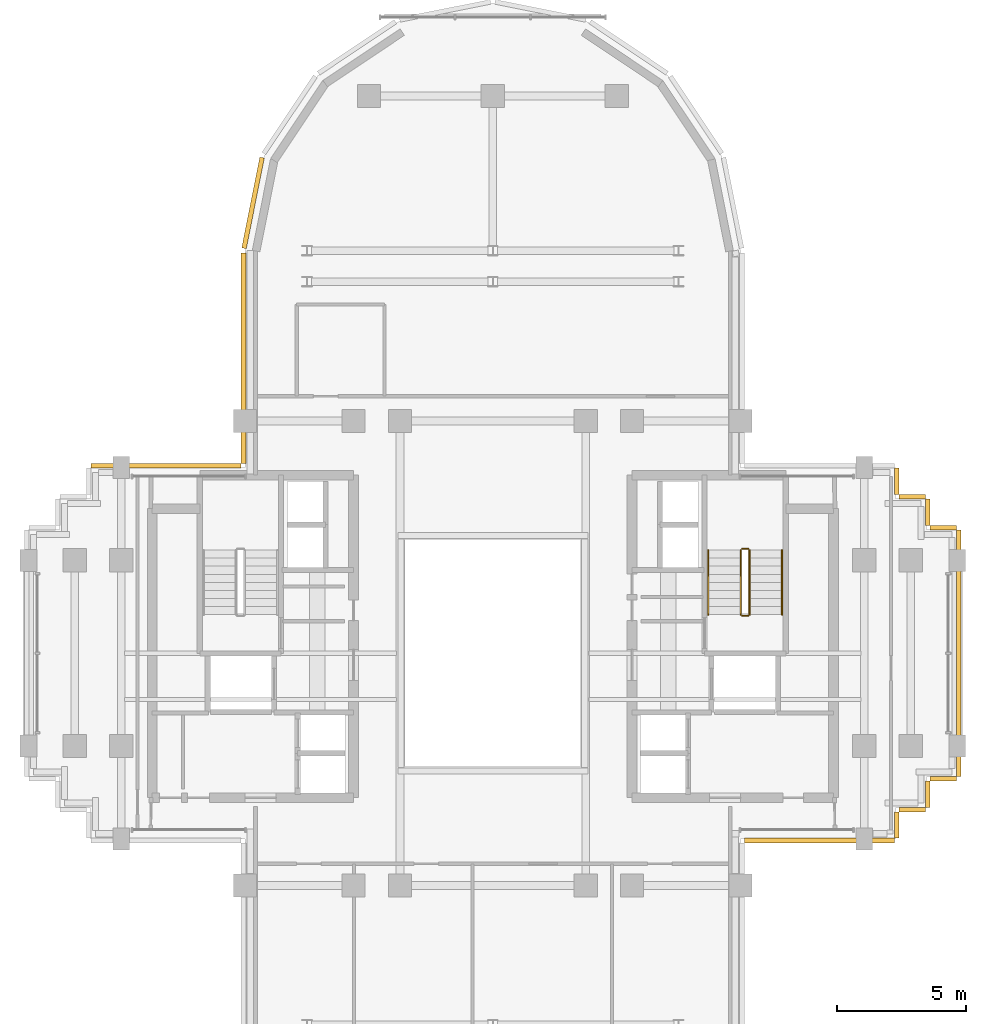
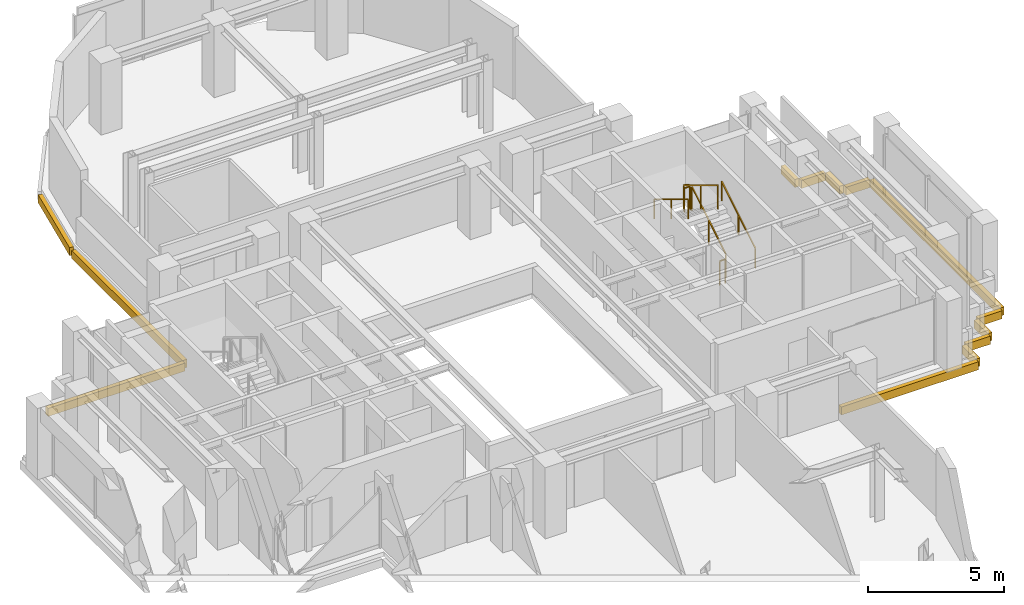
# One storey, part 10 of 11: 13 coverings, 6 railings.
"""IFC4 building model written with IfcOpenShell, lengths in metres."""

from ifc_helpers import new_model, si_unit, direction, frame, origin, origin_2d, place, context, subcontext, project, spatial, rectangle, extrude, source, transform, mapped, material, layer, layer_set, type_object, element, save


model = new_model("IFC4")

# Units and contexts
model_context = context("Model", 3, precision=1e-05, world=origin(), true_north=direction((0.0, 1.0)))
body_context = subcontext(model_context, "Body", "Model", "MODEL_VIEW")
ifc_project = project(units=[si_unit("LENGTHUNIT", "METRE"), si_unit("AREAUNIT", "SQUARE_METRE"), si_unit("VOLUMEUNIT", "CUBIC_METRE"), si_unit("PLANEANGLEUNIT", "RADIAN"), si_unit("MASSUNIT", "GRAM", prefix="KILO")], contexts=[model_context])

# Site, building, storey
site_placement = place(None, origin())
site = spatial("IfcSite", under=ifc_project, at=site_placement, CompositionType="ELEMENT")
building_placement = place(site_placement, origin())
building = spatial("IfcBuilding", under=site, at=building_placement, Name="Keilestroom Media Tower", CompositionType="ELEMENT")
storey_placement = place(building_placement, frame((0.0, 0.0, 167.199951171875)))
storey = spatial("IfcBuildingStorey", under=building, at=storey_placement, Name="L45", CompositionType="ELEMENT", Elevation=167.199951171875)

# Railings
ifc_material_1 = material(Name="Brushed Stainless Steel 1.4301", Category="steel")
railing_type_1 = type_object("IfcRailingType", Name="Stair-Pitch-Handrail-920", PredefinedType="HANDRAIL", material=ifc_material_1)
railing_1_placement = place(storey_placement, frame((11.2099609375, 1.5, 0.18896484375)))
element("IfcRailing", 1, at=railing_1_placement, inside=storey, type_object=railing_type_1, Name="L45 ST-2 stair handrail 1", PredefinedType="HANDRAIL", context=body_context, shape_type="SweptSolid", body=[
    extrude(rectangle(XDim=0.048095703125, YDim=0.048095703125, at=origin_2d()), frame((0.0, 0.0, 0.8759765625), z_axis=(0.0, 0.855470815493, 0.517851024754), x_axis=(-1.0, 0.0, 0.0)), (0.0, 0.0, 1.0), 2.917724609375),
    extrude(rectangle(XDim=0.0419921875, YDim=0.0419921875, at=origin_2d()), origin(), (0.0, 0.0, 1.0), 0.84375),
    extrude(rectangle(XDim=0.0419921875, YDim=0.0419921875, at=origin_2d()), frame((0.0, 1.248046875, 0.75537109375)), (0.0, 0.0, 1.0), 0.84375),
    extrude(rectangle(XDim=0.0419921875, YDim=0.0419921875, at=origin_2d()), frame((0.0, 2.49609375, 1.510986328125)), (0.0, 0.0, 1.0), 0.84375),
])
railing_2_placement = place(storey_placement, frame((8.35009765625, 3.99609375, 1.888916015625)))
element("IfcRailing", 2, at=railing_2_placement, inside=storey, type_object=railing_type_1, Name="L45 ST-2 stair handrail 2", PredefinedType="HANDRAIL", context=body_context, shape_type="SweptSolid", body=[
    extrude(rectangle(XDim=0.048095703125, YDim=0.048095703125, at=origin_2d()), frame((0.0, 0.0, 0.8759765625), z_axis=(0.0, -0.855433747314, 0.517912255074), x_axis=(1.0, 0.0, 0.0)), (0.0, 0.0, 1.0), 2.91796875),
    extrude(rectangle(XDim=0.0419921875, YDim=0.0419921875, at=origin_2d()), origin(), (0.0, 0.0, 1.0), 0.84375),
    extrude(rectangle(XDim=0.0419921875, YDim=0.0419921875, at=origin_2d()), frame((0.0, -1.248046875, 0.755615234375)), (0.0, 0.0, 1.0), 0.84375),
    extrude(rectangle(XDim=0.0419921875, YDim=0.0419921875, at=origin_2d()), frame((0.0, -2.49609375, 1.51123046875)), (0.0, 0.0, 1.0), 0.84375),
])
ifc_material_2 = material(Name="Painted Steel Balustrade", Category="steel")
railing_type_2 = type_object("IfcRailingType", Name="Stair-Well-And-Landing-Guard-1100", PredefinedType="GUARDRAIL", material=ifc_material_2)
railing_3_placement = place(storey_placement, frame((9.949951171875, 1.5, 0.18896484375)))
element("IfcRailing", 3, at=railing_3_placement, inside=storey, type_object=railing_type_2, Name="L45 ST-2 stair guard 1", PredefinedType="GUARDRAIL", context=body_context, shape_type="SweptSolid", body=[
    extrude(rectangle(XDim=0.048095703125, YDim=0.048095703125, at=origin_2d()), frame((0.0, 0.0, 1.076171875), z_axis=(0.0, 0.855470815493, 0.517851024754), x_axis=(-1.0, 0.0, 0.0)), (0.0, 0.0, 1.0), 2.917724609375),
    extrude(rectangle(XDim=0.0419921875, YDim=0.0419921875, at=origin_2d()), origin(), (0.0, 0.0, 1.0), 1.0439453125),
    extrude(rectangle(XDim=0.0419921875, YDim=0.0419921875, at=origin_2d()), frame((0.0, 1.248046875, 0.75537109375)), (0.0, 0.0, 1.0), 1.0439453125),
    extrude(rectangle(XDim=0.0419921875, YDim=0.0419921875, at=origin_2d()), frame((0.0, 2.49609375, 1.510986328125)), (0.0, 0.0, 1.0), 1.0439453125),
])
railing_4_placement = place(storey_placement, frame((9.89990234375, 4.0458984375, 1.699951171875)))
element("IfcRailing", 4, at=railing_4_placement, inside=storey, type_object=railing_type_2, Name="L45 ST-2 stair guard 2", PredefinedType="GUARDRAIL", context=body_context, shape_type="SweptSolid", body=[
    extrude(rectangle(XDim=0.048095703125, YDim=0.048095703125, at=origin_2d()), frame((0.0, 0.0, 1.076171875), z_axis=(-1.0, 0.0, 0.0), x_axis=(0.0, -1.0, 0.0)), (0.0, 0.0, 1.0), 0.239990234375),
    extrude(rectangle(XDim=0.0419921875, YDim=0.0419921875, at=origin_2d()), origin(), (0.0, 0.0, 1.0), 1.0439453125),
    extrude(rectangle(XDim=0.0419921875, YDim=0.0419921875, at=origin_2d()), frame((-0.239990234375, 0.0, 0.0)), (0.0, 0.0, 1.0), 1.0439453125),
])
railing_5_placement = place(storey_placement, frame((9.610107421875, 3.99609375, 1.888916015625)))
element("IfcRailing", 5, at=railing_5_placement, inside=storey, type_object=railing_type_2, Name="L45 ST-2 stair guard 3", PredefinedType="GUARDRAIL", context=body_context, shape_type="SweptSolid", body=[
    extrude(rectangle(XDim=0.048095703125, YDim=0.048095703125, at=origin_2d()), frame((0.0, 0.0, 1.076171875), z_axis=(0.0, -0.855433747314, 0.517912255074), x_axis=(1.0, 0.0, 0.0)), (0.0, 0.0, 1.0), 2.91796875),
    extrude(rectangle(XDim=0.0419921875, YDim=0.0419921875, at=origin_2d()), origin(), (0.0, 0.0, 1.0), 1.0439453125),
    extrude(rectangle(XDim=0.0419921875, YDim=0.0419921875, at=origin_2d()), frame((0.0, -1.248046875, 0.755615234375)), (0.0, 0.0, 1.0), 1.0439453125),
    extrude(rectangle(XDim=0.0419921875, YDim=0.0419921875, at=origin_2d()), frame((0.0, -2.49609375, 1.51123046875)), (0.0, 0.0, 1.0), 1.0439453125),
])
railing_6_placement = place(storey_placement, frame((9.89990234375, 1.449951171875, 0.0)))
element("IfcRailing", 6, at=railing_6_placement, inside=storey, type_object=railing_type_2, Name="L45 ST-2 stair guard 4", PredefinedType="GUARDRAIL", context=body_context, shape_type="SweptSolid", body=[
    extrude(rectangle(XDim=0.048095703125, YDim=0.048095703125, at=origin_2d()), frame((0.0, 0.0, 1.076171875), z_axis=(-1.0, 0.0, 0.0), x_axis=(0.0, -1.0, 0.0)), (0.0, 0.0, 1.0), 0.239990234375),
    extrude(rectangle(XDim=0.0419921875, YDim=0.0419921875, at=origin_2d()), origin(), (0.0, 0.0, 1.0), 1.0439453125),
    extrude(rectangle(XDim=0.0419921875, YDim=0.0419921875, at=origin_2d()), frame((-0.239990234375, 0.0, 0.0)), (0.0, 0.0, 1.0), 1.0439453125),
])

# Coverings
ifc_material_3 = material(Name="Precast concrete C40/50", Category="concrete")
ifc_layer = layer(ifc_material_3, 0.1201171875)
ifc_layer_set = layer_set([ifc_layer], Name="Precast concrete C40/50")
covering_type = type_object("IfcCoveringType", Name="Exterior-Precast-Spandrel-Cladding-Panel-120", PredefinedType="CLADDING", material=ifc_layer_set)
shared_shape_1 = source(origin(), body_context, "Body", "SweptSolid", [
    extrude(rectangle(XDim=1.02001953125, YDim=0.179931640625, at=origin_2d()), origin(), (0.0, 0.0, 1.0), 0.360107421875),
])
for number, where, z_axis, x_axis, name in (
    (7, (17.4599609375, -4.860107421875, -0.5400390625), (0.0, 0.0, 1.0), (-1.0, 0.0, 0.0), "L45 Precast Slab-Edge Fascia Cornice 01"),
    (8, (16.860107421875, -5.4599609375, -0.5400390625), (0.0, 0.0, 1.0), (0.0, -1.0, 0.0), "L45 Precast Slab-Edge Fascia Cornice 02"),
    (9, (16.260009765625, -6.06005859375, -0.5400390625), (0.0, 0.0, 1.0), (-1.0, 0.0, 0.0), "L45 Precast Slab-Edge Fascia Cornice 03"),
    (10, (15.659912109375, -6.659912109375, -0.5400390625), (0.0, 0.0, 1.0), (0.0, -1.0, 0.0), "L45 Precast Slab-Edge Fascia Cornice 04"),
    (11, (15.659912109375, 6.659912109375, -0.5400390625), (0.0, 0.0, 1.0), (0.0, -1.0, 0.0), "L45 Precast Slab-Edge Fascia Cornice 38"),
    (12, (16.260009765625, 6.06005859375, -0.5400390625), (0.0, 0.0, 1.0), (1.0, 0.0, 0.0), "L45 Precast Slab-Edge Fascia Cornice 39"),
    (13, (16.860107421875, 5.4599609375, -0.5400390625), (0.0, 0.0, 1.0), (0.0, -1.0, 0.0), "L45 Precast Slab-Edge Fascia Cornice 40"),
    (14, (17.4599609375, 4.860107421875, -0.5400390625), (0.0, 0.0, 1.0), (1.0, 0.0, 0.0), "L45 Precast Slab-Edge Fascia Cornice 41"),
):
    element("IfcCovering", number, at=place(storey_placement, frame(where, z_axis=z_axis, x_axis=x_axis)), inside=storey, type_object=covering_type, Name=name, PredefinedType="CLADDING", context=body_context, shape_type="MappedRepresentation", body=[
        mapped(shared_shape_1, transform((0.0, 0.0, 0.0), x_axis=(1.0, 0.0, 0.0), y_axis=(0.0, 1.0, 0.0), z_axis=(0.0, 0.0, 1.0), scale=1.0)),
    ])
shared_shape_2 = source(origin(), body_context, "Body", "SweptSolid", [
    extrude(rectangle(XDim=8.166015625, YDim=0.179931640625, at=origin_2d()), origin(), (0.0, 0.0, 1.0), 0.360107421875),
])
covering_1_placement = place(storey_placement, frame((-9.659912109375, 11.43310546875, -0.5400390625), z_axis=(0.0, 0.0, 1.0), x_axis=(0.0, 1.0, 0.0)))
element("IfcCovering", 15, at=covering_1_placement, inside=storey, type_object=covering_type, Name="L45 Precast Slab-Edge Fascia Cornice 27", PredefinedType="CLADDING", context=body_context, shape_type="MappedRepresentation", body=[
    mapped(shared_shape_2, transform((0.0, 0.0, 0.0), x_axis=(1.0, 0.0, 0.0), y_axis=(0.0, 1.0, 0.0), z_axis=(0.0, 0.0, 1.0), scale=1.0)),
])
shared_shape_3 = source(origin(), body_context, "Body", "SweptSolid", [
    extrude(rectangle(XDim=3.58349609375, YDim=0.179931640625, at=origin_2d()), origin(), (0.0, 0.0, 1.0), 0.360107421875),
])
covering_2_placement = place(storey_placement, frame((-9.29296875, 17.45166015625, -0.5400390625), z_axis=(0.0, 0.0, 1.0), x_axis=(0.195098880975, 0.980783577882, 0.0)))
element("IfcCovering", 16, at=covering_2_placement, inside=storey, type_object=covering_type, Name="L45 Precast Slab-Edge Fascia Cornice 28", PredefinedType="CLADDING", context=body_context, shape_type="MappedRepresentation", body=[
    mapped(shared_shape_3, transform((0.0, 0.0, 0.0), x_axis=(1.0, 0.0, 0.0), y_axis=(0.0, 1.0, 0.0), z_axis=(0.0, 0.0, 1.0), scale=1.0)),
])
shared_shape_4 = source(origin(), body_context, "Body", "SweptSolid", [
    extrude(rectangle(XDim=9.5400390625, YDim=0.179931640625, at=origin_2d()), origin(), (0.0, 0.0, 1.0), 0.360107421875),
])
covering_3_placement = place(storey_placement, frame((18.06005859375, 0.0, -0.5400390625), z_axis=(0.0, 0.0, 1.0), x_axis=(0.0, -1.0, 0.0)))
element("IfcCovering", 17, at=covering_3_placement, inside=storey, type_object=covering_type, Name="L45 Precast Slab-Edge Fascia Cornice 42", PredefinedType="CLADDING", context=body_context, shape_type="MappedRepresentation", body=[
    mapped(shared_shape_4, transform((0.0, 0.0, 0.0), x_axis=(1.0, 0.0, 0.0), y_axis=(0.0, 1.0, 0.0), z_axis=(0.0, 0.0, 1.0), scale=1.0)),
])
shared_shape_5 = source(origin(), body_context, "Body", "SweptSolid", [
    extrude(rectangle(XDim=5.820068359375, YDim=0.179931640625, at=origin_2d()), origin(), (0.0, 0.0, 1.0), 0.360107421875),
])
for number, where, z_axis, x_axis, name in (
    (18, (12.659912109375, -7.260009765625, -0.5400390625), (0.0, 0.0, 1.0), (-1.0, 0.0, 0.0), "L45 Precast Slab-Edge Fascia Cornice 05"),
    (19, (-12.659912109375, 7.260009765625, -0.5400390625), (0.0, 0.0, 1.0), (1.0, 0.0, 0.0), "L45 Precast Slab-Edge Fascia Cornice 26"),
):
    element("IfcCovering", number, at=place(storey_placement, frame(where, z_axis=z_axis, x_axis=x_axis)), inside=storey, type_object=covering_type, Name=name, PredefinedType="CLADDING", context=body_context, shape_type="MappedRepresentation", body=[
        mapped(shared_shape_5, transform((0.0, 0.0, 0.0), x_axis=(1.0, 0.0, 0.0), y_axis=(0.0, 1.0, 0.0), z_axis=(0.0, 0.0, 1.0), scale=1.0)),
    ])

save(model, "model.ifc")
